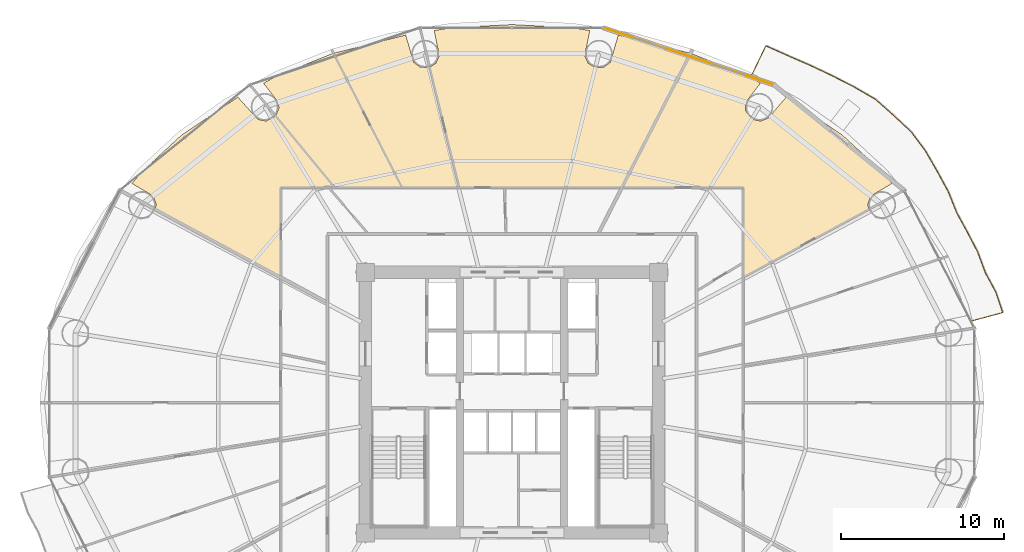
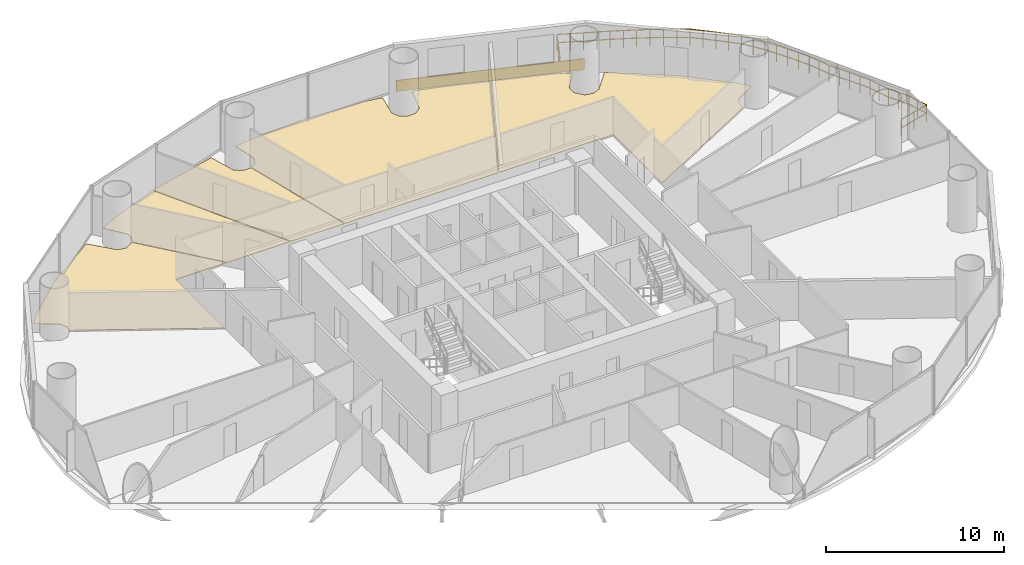
# One storey, part 29 of 29: 6 coverings, 1 railing.
"""IFC4 building model written with IfcOpenShell, lengths in metres."""

from ifc_helpers import new_model, si_unit, direction, frame, origin, origin_2d, place, context, subcontext, project, spatial, polyline, rectangle, outline, extrude, source, transform, mapped, material, layer, layer_set, type_object, element, save


model = new_model("IFC4")

# Units and contexts
model_context = context("Model", 3, precision=1e-05, world=origin(), true_north=direction((-0.2419218956, 0.970295726276)))
body_context = subcontext(model_context, "Body", "Model", "MODEL_VIEW")
ifc_project = project(units=[si_unit("LENGTHUNIT", "METRE"), si_unit("AREAUNIT", "SQUARE_METRE"), si_unit("VOLUMEUNIT", "CUBIC_METRE"), si_unit("PLANEANGLEUNIT", "RADIAN"), si_unit("MASSUNIT", "GRAM", prefix="KILO")], contexts=[model_context])

# Site, building, storey
site_placement = place(None, origin())
site = spatial("IfcSite", under=ifc_project, at=site_placement, CompositionType="ELEMENT")
building_placement = place(site_placement, origin())
building = spatial("IfcBuilding", under=site, at=building_placement, Name="Cobrevalo Terracotta Tower", CompositionType="ELEMENT")
storey_placement = place(building_placement, frame((0.0, 0.0, 52.800048828125)))
storey = spatial("IfcBuildingStorey", under=building, at=storey_placement, Name="L13", CompositionType="ELEMENT", Elevation=52.800048828125)

# Railing
ifc_material_1 = material(Name="Laminated structural glass and stainless steel", Category="steel")
railing_type = type_object("IfcRailingType", Name="Balcony lobe structural glass & terracotta-cap balustrade 1180 mm", PredefinedType="BALUSTRADE", material=ifc_material_1)
railing_placement = place(storey_placement, frame((66.185791015625, 31.79638671875, 0.0)))
element("IfcRailing", 1, at=railing_placement, inside=storey, type_object=railing_type, Name="L13 spiralling balcony lobe balustrade 1", PredefinedType="BALUSTRADE", context=body_context, shape_type="SweptSolid", body=[
    extrude(rectangle(XDim=0.048095703125, YDim=0.048095703125, at=origin_2d()), frame((0.0, 0.0, 1.15576171875), z_axis=(0.965499368711, 0.260405393607, 0.0), x_axis=(-0.260405393607, 0.965499368711, 0.0)), (0.0, 0.0, 1.0), 2.02685546875),
    extrude(rectangle(XDim=0.048095703125, YDim=0.048095703125, at=origin_2d()), frame((0.0, 0.0, 0.58984375), z_axis=(0.965499368711, 0.260405393607, 0.0), x_axis=(-0.260405393607, 0.965499368711, 0.0)), (0.0, 0.0, 1.0), 2.02685546875),
    extrude(rectangle(XDim=0.048095703125, YDim=0.048095703125, at=origin_2d()), frame((1.95703125, 0.52783203125, 1.15576171875), z_axis=(-0.319903917784, 0.947449989913, 0.0), x_axis=(-0.947449989913, -0.319903917784, 0.0)), (0.0, 0.0, 1.0), 1.333984375),
    extrude(rectangle(XDim=0.048095703125, YDim=0.048095703125, at=origin_2d()), frame((1.95703125, 0.52783203125, 0.58984375), z_axis=(-0.319903917784, 0.947449989913, 0.0), x_axis=(-0.947449989913, -0.319903917784, 0.0)), (0.0, 0.0, 1.0), 1.333984375),
    extrude(rectangle(XDim=0.048095703125, YDim=0.048095703125, at=origin_2d()), frame((1.5302734375, 1.791748046875, 1.15576171875), z_axis=(-0.474979027611, 0.879997115524, 0.0), x_axis=(-0.879997115524, -0.474979027611, 0.0)), (0.0, 0.0, 1.0), 1.357421875),
    extrude(rectangle(XDim=0.048095703125, YDim=0.048095703125, at=origin_2d()), frame((1.5302734375, 1.791748046875, 0.58984375), z_axis=(-0.474979027611, 0.879997115524, 0.0), x_axis=(-0.879997115524, -0.474979027611, 0.0)), (0.0, 0.0, 1.0), 1.357421875),
    extrude(rectangle(XDim=0.048095703125, YDim=0.048095703125, at=origin_2d()), frame((0.885498046875, 2.986328125, 1.15576171875), z_axis=(-0.347077609764, 0.937836410468, 0.0), x_axis=(-0.937836410468, -0.347077609764, 0.0)), (0.0, 0.0, 1.0), 1.343505859375),
    extrude(rectangle(XDim=0.048095703125, YDim=0.048095703125, at=origin_2d()), frame((0.885498046875, 2.986328125, 0.58984375), z_axis=(-0.347077609764, 0.937836410468, 0.0), x_axis=(-0.937836410468, -0.347077609764, 0.0)), (0.0, 0.0, 1.0), 1.343505859375),
    extrude(rectangle(XDim=0.048095703125, YDim=0.048095703125, at=origin_2d()), frame((0.419189453125, 4.246337890625, 1.15576171875), z_axis=(-0.46073326194, 0.887538653436, 0.0), x_axis=(-0.887538653436, -0.46073326194, 0.0)), (0.0, 0.0, 1.0), 1.352783203125),
    extrude(rectangle(XDim=0.048095703125, YDim=0.048095703125, at=origin_2d()), frame((0.419189453125, 4.246337890625, 0.58984375), z_axis=(-0.46073326194, 0.887538653436, 0.0), x_axis=(-0.887538653436, -0.46073326194, 0.0)), (0.0, 0.0, 1.0), 1.352783203125),
    extrude(rectangle(XDim=0.048095703125, YDim=0.048095703125, at=origin_2d()), frame((-0.2041015625, 5.447021484375, 1.15576171875), z_axis=(-0.480837032691, 0.876809983972, 0.0), x_axis=(-0.876809983972, -0.480837032691, 0.0)), (0.0, 0.0, 1.0), 1.369384765625),
    extrude(rectangle(XDim=0.048095703125, YDim=0.048095703125, at=origin_2d()), frame((-0.2041015625, 5.447021484375, 0.58984375), z_axis=(-0.480837032691, 0.876809983972, 0.0), x_axis=(-0.876809983972, -0.480837032691, 0.0)), (0.0, 0.0, 1.0), 1.369384765625),
    extrude(rectangle(XDim=0.048095703125, YDim=0.048095703125, at=origin_2d()), frame((-0.862548828125, 6.647705078125, 1.15576171875), z_axis=(-0.373188942552, 0.927755362775, 0.0), x_axis=(-0.927755362775, -0.373188942552, 0.0)), (0.0, 0.0, 1.0), 1.40380859375),
    extrude(rectangle(XDim=0.048095703125, YDim=0.048095703125, at=origin_2d()), frame((-0.862548828125, 6.647705078125, 0.58984375), z_axis=(-0.373188942552, 0.927755362775, 0.0), x_axis=(-0.927755362775, -0.373188942552, 0.0)), (0.0, 0.0, 1.0), 1.40380859375),
    extrude(rectangle(XDim=0.048095703125, YDim=0.048095703125, at=origin_2d()), frame((-1.386474609375, 7.9501953125, 1.15576171875), z_axis=(-0.477193297536, 0.878798359572, 0.0), x_axis=(-0.878798359572, -0.477193297536, 0.0)), (0.0, 0.0, 1.0), 1.43408203125),
    extrude(rectangle(XDim=0.048095703125, YDim=0.048095703125, at=origin_2d()), frame((-1.386474609375, 7.9501953125, 0.58984375), z_axis=(-0.477193297536, 0.878798359572, 0.0), x_axis=(-0.878798359572, -0.477193297536, 0.0)), (0.0, 0.0, 1.0), 1.43408203125),
    extrude(rectangle(XDim=0.048095703125, YDim=0.048095703125, at=origin_2d()), frame((-2.07080078125, 9.21044921875, 1.15576171875), z_axis=(-0.50067209267, 0.865637023019, 0.0), x_axis=(-0.865637023019, -0.50067209267, 0.0)), (0.0, 0.0, 1.0), 1.45361328125),
    extrude(rectangle(XDim=0.048095703125, YDim=0.048095703125, at=origin_2d()), frame((-2.07080078125, 9.21044921875, 0.58984375), z_axis=(-0.50067209267, 0.865637023019, 0.0), x_axis=(-0.865637023019, -0.50067209267, 0.0)), (0.0, 0.0, 1.0), 1.45361328125),
    extrude(rectangle(XDim=0.048095703125, YDim=0.048095703125, at=origin_2d()), frame((-2.798583984375, 10.46875, 1.15576171875), z_axis=(-0.59657311337, 0.802558733305, 0.0), x_axis=(-0.802558733305, -0.59657311337, 0.0)), (0.0, 0.0, 1.0), 1.46142578125),
    extrude(rectangle(XDim=0.048095703125, YDim=0.048095703125, at=origin_2d()), frame((-2.798583984375, 10.46875, 0.58984375), z_axis=(-0.59657311337, 0.802558733305, 0.0), x_axis=(-0.802558733305, -0.59657311337, 0.0)), (0.0, 0.0, 1.0), 1.46142578125),
    extrude(rectangle(XDim=0.048095703125, YDim=0.048095703125, at=origin_2d()), frame((-3.67041015625, 11.6416015625, 1.15576171875), z_axis=(-0.732198247048, 0.681091570216, 0.0), x_axis=(-0.681091570216, -0.732198247048, 0.0)), (0.0, 0.0, 1.0), 1.47607421875),
    extrude(rectangle(XDim=0.048095703125, YDim=0.048095703125, at=origin_2d()), frame((-3.67041015625, 11.6416015625, 0.58984375), z_axis=(-0.732198247048, 0.681091570216, 0.0), x_axis=(-0.681091570216, -0.732198247048, 0.0)), (0.0, 0.0, 1.0), 1.47607421875),
    extrude(rectangle(XDim=0.048095703125, YDim=0.048095703125, at=origin_2d()), frame((-4.751220703125, 12.64697265625, 1.15576171875), z_axis=(-0.747509967132, 0.664250592049, 0.0), x_axis=(-0.664250592049, -0.747509967132, 0.0)), (0.0, 0.0, 1.0), 1.471923828125),
    extrude(rectangle(XDim=0.048095703125, YDim=0.048095703125, at=origin_2d()), frame((-4.751220703125, 12.64697265625, 0.58984375), z_axis=(-0.747509967132, 0.664250592049, 0.0), x_axis=(-0.664250592049, -0.747509967132, 0.0)), (0.0, 0.0, 1.0), 1.471923828125),
    extrude(rectangle(XDim=0.048095703125, YDim=0.048095703125, at=origin_2d()), frame((-5.8515625, 13.624755859375, 1.15576171875), z_axis=(-0.865241683045, 0.501354993914, 0.0), x_axis=(-0.501354993914, -0.865241683045, 0.0)), (0.0, 0.0, 1.0), 1.509521484375),
    extrude(rectangle(XDim=0.048095703125, YDim=0.048095703125, at=origin_2d()), frame((-5.8515625, 13.624755859375, 0.58984375), z_axis=(-0.865241683045, 0.501354993914, 0.0), x_axis=(-0.501354993914, -0.865241683045, 0.0)), (0.0, 0.0, 1.0), 1.509521484375),
    extrude(rectangle(XDim=0.048095703125, YDim=0.048095703125, at=origin_2d()), frame((-7.15771484375, 14.381591796875, 1.15576171875), z_axis=(-0.889536703878, 0.456863713216, 0.0), x_axis=(-0.456863713216, -0.889536703878, 0.0)), (0.0, 0.0, 1.0), 1.503662109375),
    extrude(rectangle(XDim=0.048095703125, YDim=0.048095703125, at=origin_2d()), frame((-7.15771484375, 14.381591796875, 0.58984375), z_axis=(-0.889536703878, 0.456863713216, 0.0), x_axis=(-0.456863713216, -0.889536703878, 0.0)), (0.0, 0.0, 1.0), 1.503662109375),
    extrude(rectangle(XDim=0.048095703125, YDim=0.048095703125, at=origin_2d()), frame((-8.495361328125, 15.068603515625, 1.15576171875), z_axis=(-0.904152435459, 0.427209987539, 0.0), x_axis=(-0.427209987539, -0.904152435459, 0.0)), (0.0, 0.0, 1.0), 1.497314453125),
    extrude(rectangle(XDim=0.048095703125, YDim=0.048095703125, at=origin_2d()), frame((-8.495361328125, 15.068603515625, 0.58984375), z_axis=(-0.904152435459, 0.427209987539, 0.0), x_axis=(-0.427209987539, -0.904152435459, 0.0)), (0.0, 0.0, 1.0), 1.497314453125),
    extrude(rectangle(XDim=0.048095703125, YDim=0.048095703125, at=origin_2d()), frame((-9.84912109375, 15.708251953125, 1.15576171875), z_axis=(-0.916931190853, 0.399045349855, 0.0), x_axis=(-0.399045349855, -0.916931190853, 0.0)), (0.0, 0.0, 1.0), 1.510009765625),
    extrude(rectangle(XDim=0.048095703125, YDim=0.048095703125, at=origin_2d()), frame((-9.84912109375, 15.708251953125, 0.58984375), z_axis=(-0.916931190853, 0.399045349855, 0.0), x_axis=(-0.399045349855, -0.916931190853, 0.0)), (0.0, 0.0, 1.0), 1.510009765625),
    extrude(rectangle(XDim=0.048095703125, YDim=0.048095703125, at=origin_2d()), frame((-11.233642578125, 16.310791015625, 1.15576171875), z_axis=(-0.912622763108, 0.408802754709, 0.0), x_axis=(-0.408802754709, -0.912622763108, 0.0)), (0.0, 0.0, 1.0), 1.495361328125),
    extrude(rectangle(XDim=0.048095703125, YDim=0.048095703125, at=origin_2d()), frame((-11.233642578125, 16.310791015625, 0.58984375), z_axis=(-0.912622763108, 0.408802754709, 0.0), x_axis=(-0.408802754709, -0.912622763108, 0.0)), (0.0, 0.0, 1.0), 1.495361328125),
    extrude(rectangle(XDim=0.048095703125, YDim=0.048095703125, at=origin_2d()), frame((-12.598388671875, 16.922119140625, 1.15576171875), z_axis=(-0.433449876328, -0.901177676549, 0.0), x_axis=(0.901177676549, -0.433449876328, 0.0)), (0.0, 0.0, 1.0), 1.987060546875),
    extrude(rectangle(XDim=0.048095703125, YDim=0.048095703125, at=origin_2d()), frame((-12.598388671875, 16.922119140625, 0.58984375), z_axis=(-0.433449876328, -0.901177676549, 0.0), x_axis=(0.901177676549, -0.433449876328, 0.0)), (0.0, 0.0, 1.0), 1.987060546875),
    extrude(rectangle(XDim=0.0419921875, YDim=0.0419921875, at=origin_2d()), origin(), (0.0, 0.0, 1.0), 1.1318359375),
    extrude(rectangle(XDim=0.0419921875, YDim=0.0419921875, at=origin_2d()), frame((0.978515625, 0.263916015625, 0.0)), (0.0, 0.0, 1.0), 1.1318359375),
    extrude(rectangle(XDim=0.0419921875, YDim=0.0419921875, at=origin_2d()), frame((1.95703125, 0.52783203125, 0.0)), (0.0, 0.0, 1.0), 1.1318359375),
    extrude(rectangle(XDim=0.0419921875, YDim=0.0419921875, at=origin_2d()), frame((1.74365234375, 1.15966796875, 0.0)), (0.0, 0.0, 1.0), 1.1318359375),
    extrude(rectangle(XDim=0.0419921875, YDim=0.0419921875, at=origin_2d()), frame((1.5302734375, 1.791748046875, 0.0)), (0.0, 0.0, 1.0), 1.1318359375),
    extrude(rectangle(XDim=0.0419921875, YDim=0.0419921875, at=origin_2d()), frame((1.2080078125, 2.38916015625, 0.0)), (0.0, 0.0, 1.0), 1.1318359375),
    extrude(rectangle(XDim=0.0419921875, YDim=0.0419921875, at=origin_2d()), frame((0.885498046875, 2.986328125, 0.0)), (0.0, 0.0, 1.0), 1.1318359375),
    extrude(rectangle(XDim=0.0419921875, YDim=0.0419921875, at=origin_2d()), frame((0.65234375, 3.6162109375, 0.0)), (0.0, 0.0, 1.0), 1.1318359375),
    extrude(rectangle(XDim=0.0419921875, YDim=0.0419921875, at=origin_2d()), frame((0.419189453125, 4.246337890625, 0.0)), (0.0, 0.0, 1.0), 1.1318359375),
    extrude(rectangle(XDim=0.0419921875, YDim=0.0419921875, at=origin_2d()), frame((0.107421875, 4.8466796875, 0.0)), (0.0, 0.0, 1.0), 1.1318359375),
    extrude(rectangle(XDim=0.0419921875, YDim=0.0419921875, at=origin_2d()), frame((-0.2041015625, 5.447021484375, 0.0)), (0.0, 0.0, 1.0), 1.1318359375),
    extrude(rectangle(XDim=0.0419921875, YDim=0.0419921875, at=origin_2d()), frame((-0.533203125, 6.04736328125, 0.0)), (0.0, 0.0, 1.0), 1.1318359375),
    extrude(rectangle(XDim=0.0419921875, YDim=0.0419921875, at=origin_2d()), frame((-0.862548828125, 6.647705078125, 0.0)), (0.0, 0.0, 1.0), 1.1318359375),
    extrude(rectangle(XDim=0.0419921875, YDim=0.0419921875, at=origin_2d()), frame((-1.12451171875, 7.298828125, 0.0)), (0.0, 0.0, 1.0), 1.1318359375),
    extrude(rectangle(XDim=0.0419921875, YDim=0.0419921875, at=origin_2d()), frame((-1.386474609375, 7.9501953125, 0.0)), (0.0, 0.0, 1.0), 1.1318359375),
    extrude(rectangle(XDim=0.0419921875, YDim=0.0419921875, at=origin_2d()), frame((-1.728515625, 8.580322265625, 0.0)), (0.0, 0.0, 1.0), 1.1318359375),
    extrude(rectangle(XDim=0.0419921875, YDim=0.0419921875, at=origin_2d()), frame((-2.07080078125, 9.21044921875, 0.0)), (0.0, 0.0, 1.0), 1.1318359375),
    extrude(rectangle(XDim=0.0419921875, YDim=0.0419921875, at=origin_2d()), frame((-2.4345703125, 9.839599609375, 0.0)), (0.0, 0.0, 1.0), 1.1318359375),
    extrude(rectangle(XDim=0.0419921875, YDim=0.0419921875, at=origin_2d()), frame((-2.798583984375, 10.46875, 0.0)), (0.0, 0.0, 1.0), 1.1318359375),
    extrude(rectangle(XDim=0.0419921875, YDim=0.0419921875, at=origin_2d()), frame((-3.234375, 11.05517578125, 0.0)), (0.0, 0.0, 1.0), 1.1318359375),
    extrude(rectangle(XDim=0.0419921875, YDim=0.0419921875, at=origin_2d()), frame((-3.67041015625, 11.6416015625, 0.0)), (0.0, 0.0, 1.0), 1.1318359375),
    extrude(rectangle(XDim=0.0419921875, YDim=0.0419921875, at=origin_2d()), frame((-4.2109375, 12.144287109375, 0.0)), (0.0, 0.0, 1.0), 1.1318359375),
    extrude(rectangle(XDim=0.0419921875, YDim=0.0419921875, at=origin_2d()), frame((-4.751220703125, 12.64697265625, 0.0)), (0.0, 0.0, 1.0), 1.1318359375),
    extrude(rectangle(XDim=0.0419921875, YDim=0.0419921875, at=origin_2d()), frame((-5.30126953125, 13.1357421875, 0.0)), (0.0, 0.0, 1.0), 1.1318359375),
    extrude(rectangle(XDim=0.0419921875, YDim=0.0419921875, at=origin_2d()), frame((-5.8515625, 13.624755859375, 0.0)), (0.0, 0.0, 1.0), 1.1318359375),
    extrude(rectangle(XDim=0.0419921875, YDim=0.0419921875, at=origin_2d()), frame((-6.504638671875, 14.003173828125, 0.0)), (0.0, 0.0, 1.0), 1.1318359375),
    extrude(rectangle(XDim=0.0419921875, YDim=0.0419921875, at=origin_2d()), frame((-7.15771484375, 14.381591796875, 0.0)), (0.0, 0.0, 1.0), 1.1318359375),
    extrude(rectangle(XDim=0.0419921875, YDim=0.0419921875, at=origin_2d()), frame((-7.82666015625, 14.72509765625, 0.0)), (0.0, 0.0, 1.0), 1.1318359375),
    extrude(rectangle(XDim=0.0419921875, YDim=0.0419921875, at=origin_2d()), frame((-8.495361328125, 15.068603515625, 0.0)), (0.0, 0.0, 1.0), 1.1318359375),
    extrude(rectangle(XDim=0.0419921875, YDim=0.0419921875, at=origin_2d()), frame((-9.17236328125, 15.388427734375, 0.0)), (0.0, 0.0, 1.0), 1.1318359375),
    extrude(rectangle(XDim=0.0419921875, YDim=0.0419921875, at=origin_2d()), frame((-9.84912109375, 15.708251953125, 0.0)), (0.0, 0.0, 1.0), 1.1318359375),
    extrude(rectangle(XDim=0.0419921875, YDim=0.0419921875, at=origin_2d()), frame((-10.54150390625, 16.009521484375, 0.0)), (0.0, 0.0, 1.0), 1.1318359375),
    extrude(rectangle(XDim=0.0419921875, YDim=0.0419921875, at=origin_2d()), frame((-11.233642578125, 16.310791015625, 0.0)), (0.0, 0.0, 1.0), 1.1318359375),
    extrude(rectangle(XDim=0.0419921875, YDim=0.0419921875, at=origin_2d()), frame((-11.916015625, 16.616455078125, 0.0)), (0.0, 0.0, 1.0), 1.1318359375),
    extrude(rectangle(XDim=0.0419921875, YDim=0.0419921875, at=origin_2d()), frame((-12.598388671875, 16.922119140625, 0.0)), (0.0, 0.0, 1.0), 1.1318359375),
    extrude(rectangle(XDim=0.0419921875, YDim=0.0419921875, at=origin_2d()), frame((-13.029052734375, 16.02685546875, 0.0)), (0.0, 0.0, 1.0), 1.1318359375),
    extrude(rectangle(XDim=0.0419921875, YDim=0.0419921875, at=origin_2d()), frame((-13.459716796875, 15.13134765625, 0.0)), (0.0, 0.0, 1.0), 1.1318359375),
])

# Coverings
ifc_material_2 = material(Name="Engineered Brazilian hardwood flooring", Category="wood")
ifc_layer_1 = layer(ifc_material_2, 0.028076171875)
ifc_layer_set_1 = layer_set([ifc_layer_1], Name="Engineered Brazilian hardwood flooring")
covering_type_1 = type_object("IfcCoveringType", Name="Engineered Hardwood Suite Flooring 28", PredefinedType="FLOORING", material=ifc_layer_set_1)
covering_1_placement = place(storey_placement, origin())
element("IfcCovering", 2, at=covering_1_placement, inside=storey, type_object=covering_type_1, Name="Flat L13A Penthouse Family Lounge floor finish", PredefinedType="FLOORING", context=body_context, shape_type="SweptSolid", body=[
    extrude(outline(polyline([(44.77734375, 40.014892578125), (48.9873046875, 48.251220703125), (52.361572265625, 46.908203125), (53.26318359375, 46.421142578125), (52.35498046875, 45.23095703125), (52.350341796875, 44.719970703125), (52.772705078125, 44.1953125), (53.27294921875, 44.091064453125), (53.746826171875, 44.2822265625), (54.843505859375, 45.567138671875), (58.3095703125, 43.217529296875), (60.786376953125, 40.933837890625), (61.34423828125, 40.2587890625), (60.060791015625, 39.497802734375), (59.864990234375, 39.02587890625), (59.90234375, 38.681884765625), (52.215087890625, 34.51953125), (52.215087890625, 40.014892578125), (44.77734375, 40.014892578125)])), origin(), (0.0, 0.0, 1.0), 0.030029296875),
])
covering_2_placement = place(storey_placement, origin())
element("IfcCovering", 3, at=covering_2_placement, inside=storey, type_object=covering_type_1, Name="Flat L13B Penthouse Living and Dining Room floor finish", PredefinedType="FLOORING", context=body_context, shape_type="SweptSolid", body=[
    extrude(outline(polyline([(38.0, 50.02001953125), (41.749267578125, 49.8212890625), (42.78369140625, 49.65478515625), (42.46533203125, 48.099853515625), (42.6845703125, 47.63818359375), (43.123046875, 47.376220703125), (43.63330078125, 47.40185546875), (44.04345703125, 47.706787109375), (44.527587890625, 49.37451171875), (48.948974609375, 48.263671875), (44.732421875, 40.014892578125), (34.77685546875, 40.014892578125), (32.96240234375, 47.406494140625), (33.3154296875, 47.63818359375), (33.53466796875, 48.099853515625), (33.21630859375, 49.65478515625), (34.250732421875, 49.8212890625), (38.0, 50.02001953125)])), origin(), (0.0, 0.0, 1.0), 0.030029296875),
])
covering_3_placement = place(storey_placement, origin())
element("IfcCovering", 4, at=covering_3_placement, inside=storey, type_object=covering_type_1, Name="Flat L13B Master Bedroom floor finish", PredefinedType="FLOORING", context=body_context, shape_type="SweptSolid", body=[
    extrude(outline(polyline([(31.472412109375, 49.37451171875), (31.95654296875, 47.706787109375), (32.36669921875, 47.40185546875), (32.924560546875, 47.39306640625), (34.735595703125, 40.014892578125), (31.267578125, 40.014892578125), (27.051025390625, 48.263671875), (31.472412109375, 49.37451171875)])), origin(), (0.0, 0.0, 1.0), 0.030029296875),
])
covering_4_placement = place(storey_placement, origin())
element("IfcCovering", 5, at=covering_4_placement, inside=storey, type_object=covering_type_1, Name="Flat L13B Principal Guest Bedroom floor finish", PredefinedType="FLOORING", context=body_context, shape_type="SweptSolid", body=[
    extrude(outline(polyline([(23.4951171875, 44.42236328125), (23.681884765625, 44.889404296875), (23.64501953125, 45.23095703125), (22.73681640625, 46.421142578125), (23.638427734375, 46.908203125), (27.0126953125, 48.251220703125), (31.22265625, 40.014892578125), (27.12939453125, 40.014892578125), (23.4951171875, 44.42236328125)])), origin(), (0.0, 0.0, 1.0), 0.030029296875),
])
covering_5_placement = place(storey_placement, origin())
element("IfcCovering", 6, at=covering_5_placement, inside=storey, type_object=covering_type_1, Name="Flat L13B Penthouse Family Lounge floor finish", PredefinedType="FLOORING", context=body_context, shape_type="SweptSolid", body=[
    extrude(outline(polyline([(21.156494140625, 45.567138671875), (22.3974609375, 44.1875), (22.899658203125, 44.092529296875), (23.468017578125, 44.392578125), (27.077392578125, 40.014892578125), (23.784912109375, 40.014892578125), (23.784912109375, 34.51953125), (16.09765625, 38.681884765625), (16.135009765625, 39.02587890625), (15.939208984375, 39.497802734375), (14.65576171875, 40.2587890625), (15.213623046875, 40.933837890625), (17.6904296875, 43.217529296875), (21.156494140625, 45.567138671875)])), origin(), (0.0, 0.0, 1.0), 0.030029296875),
])
ifc_material_3 = material(Name="Glazed terracotta facade cladding tile", Category="masonry")
ifc_layer_2 = layer(ifc_material_3, 0.044921875)
ifc_layer_set_2 = layer_set([ifc_layer_2], Name="Glazed terracotta facade cladding tile")
covering_type_2 = type_object("IfcCoveringType", Name="Architectural terracotta rainscreen spandrel cladding 45 mm", PredefinedType="CLADDING", material=ifc_layer_set_2)
shared_shape = source(origin(), body_context, "Body", "SweptSolid", [
    extrude(rectangle(XDim=10.8154296875, YDim=0.044921875, at=origin_2d()), origin(), (0.0, 0.0, 1.0), 0.760009765625),
])
covering_6_placement = place(storey_placement, frame((48.873291015625, 48.06689453125, 0.0400390625), z_axis=(0.0, 0.0, 1.0), x_axis=(-0.948044172593, 0.318138722592, 0.0)))
element("IfcCovering", 7, at=covering_6_placement, inside=storey, type_object=covering_type_2, Name="L13 terracotta spandrel cladding S03", PredefinedType="CLADDING", context=body_context, shape_type="MappedRepresentation", body=[
    mapped(shared_shape, transform((0.0, 0.0, 0.0), scale=1.0)),
])

save(model, "model.ifc")
